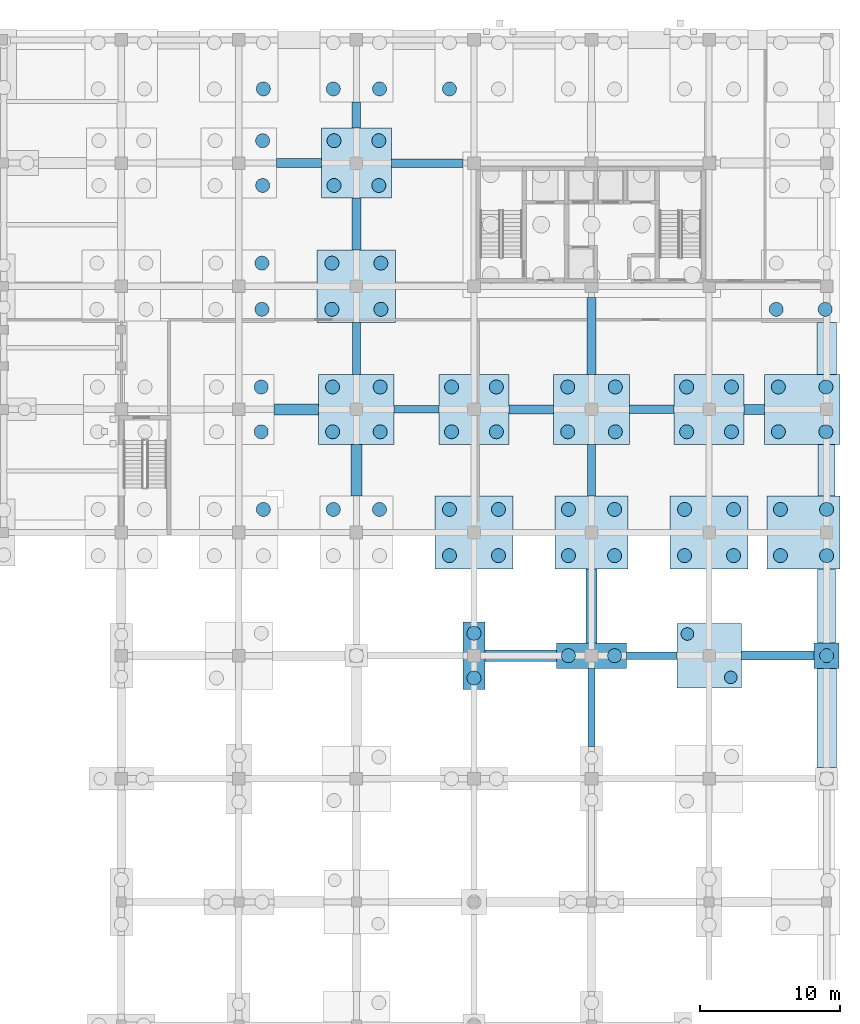
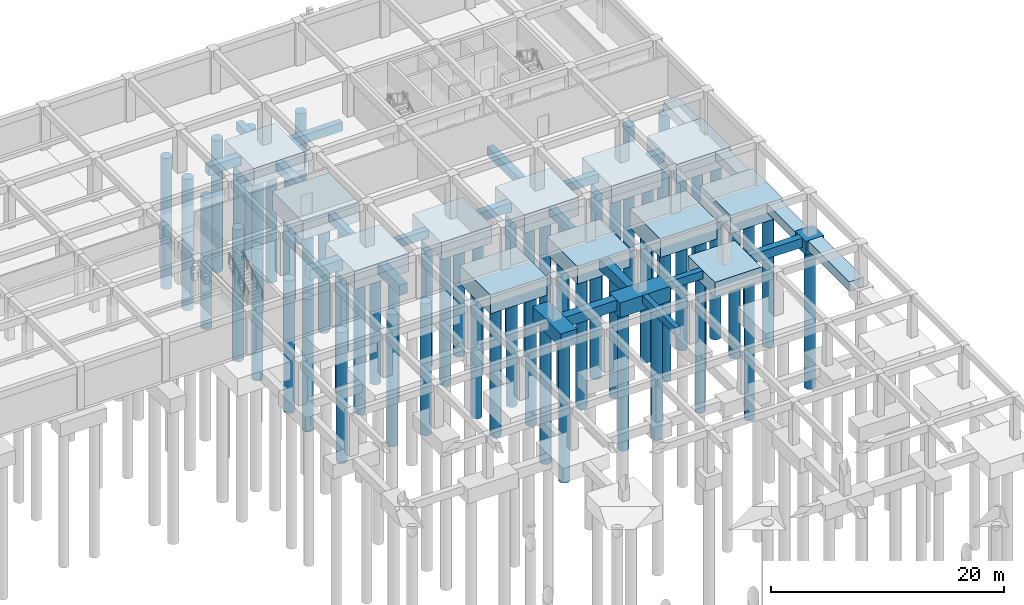
# One storey, part 11 of 41: 66 piles, 37 footings.
"""IFC4 building model written with IfcOpenShell, lengths in metres."""

from ifc_helpers import new_model, si_unit, direction, frame, origin, origin_2d, place, context, subcontext, project, spatial, rectangle, circle, extrude, material, material_profile, profile_set, type_object, element, save


model = new_model("IFC4")

# Units and contexts
model_context = context("Model", 3, precision=1e-05, world=origin(), true_north=direction((0.0, 1.0)))
body_context = subcontext(model_context, "Body", "Model", "MODEL_VIEW")
ifc_project = project(units=[si_unit("LENGTHUNIT", "METRE"), si_unit("AREAUNIT", "SQUARE_METRE"), si_unit("VOLUMEUNIT", "CUBIC_METRE"), si_unit("PLANEANGLEUNIT", "RADIAN"), si_unit("MASSUNIT", "GRAM", prefix="KILO")], contexts=[model_context])

# Site, building, storey
site_placement = place(None, origin())
site = spatial("IfcSite", under=ifc_project, at=site_placement, CompositionType="ELEMENT")
building_placement = place(site_placement, origin())
building = spatial("IfcBuilding", under=site, at=building_placement, Name="Kemercrest Conservatory and Botanical Centre", CompositionType="ELEMENT")
storey_placement = place(building_placement, frame((0.0, 0.0, -4.5)))
storey = spatial("IfcBuildingStorey", under=building, at=storey_placement, Name="B1", CompositionType="ELEMENT", Elevation=-4.5)

# Piles
ifc_material = material(Name="Concrete C40/50", Category="concrete")
ifc_material_profile_1 = material_profile(ifc_material, circle(Radius=0.5, at=origin_2d()), Name="BORED PILE 1000")
ifc_profile_set_1 = profile_set([ifc_material_profile_1], Name="Concrete C40/50")
pile_type_1 = type_object("IfcPileType", Name="BP-01", PredefinedType="BORED", material=ifc_profile_set_1)
pile_1_placement = place(storey_placement, frame((135.75, 88.85009765625, -2.300048828125), z_axis=(0.0, 0.0, -1.0), x_axis=(1.0, 0.0, 0.0)))
element("IfcPile", 1, at=pile_1_placement, inside=storey, type_object=pile_type_1, Name="Bored pile BP-01 #363", PredefinedType="BORED", context=body_context, shape_type="SweptSolid", body=[
    extrude(circle(Radius=0.5, at=origin_2d()), origin(), (0.0, 0.0, 1.0), 13.699951171875),
])
for number, where, z_axis, x_axis, name in (
    (2, (135.60009765625, 94.39990234375, -2.14990234375), (0.0, 0.0, -1.0), (1.0, 0.0, 0.0), "Bored pile BP-01 #366"),
    (3, (135.60009765625, 97.60009765625, -2.14990234375), (0.0, 0.0, -1.0), (1.0, 0.0, 0.0), "Bored pile BP-01 #367"),
):
    element("IfcPile", number, at=place(storey_placement, frame(where, z_axis=z_axis, x_axis=x_axis)), inside=storey, type_object=pile_type_1, Name=name, PredefinedType="BORED", context=body_context, shape_type="SweptSolid", body=[
        extrude(circle(Radius=0.5, at=origin_2d()), origin(), (0.0, 0.0, 1.0), 13.85009765625),
    ])
for number, where, z_axis, x_axis, name in (
    (4, (135.64990234375, 103.14990234375, -2.199951171875), (0.0, 0.0, -1.0), (1.0, 0.0, 0.0), "Bored pile BP-01 #370"),
    (5, (135.64990234375, 106.449951171875, -2.199951171875), (0.0, 0.0, -1.0), (1.0, 0.0, 0.0), "Bored pile BP-01 #371"),
):
    element("IfcPile", number, at=place(storey_placement, frame(where, z_axis=z_axis, x_axis=x_axis)), inside=storey, type_object=pile_type_1, Name=name, PredefinedType="BORED", context=body_context, shape_type="SweptSolid", body=[
        extrude(circle(Radius=0.5, at=origin_2d()), origin(), (0.0, 0.0, 1.0), 13.800048828125),
    ])
for number, where, z_axis, x_axis, name in (
    (6, (135.699951171875, 112.0, -2.25), (0.0, 0.0, -1.0), (1.0, 0.0, 0.0), "Bored pile BP-01 #374"),
    (7, (135.699951171875, 115.199951171875, -2.25), (0.0, 0.0, -1.0), (1.0, 0.0, 0.0), "Bored pile BP-01 #375"),
):
    element("IfcPile", number, at=place(storey_placement, frame(where, z_axis=z_axis, x_axis=x_axis)), inside=storey, type_object=pile_type_1, Name=name, PredefinedType="BORED", context=body_context, shape_type="SweptSolid", body=[
        extrude(circle(Radius=0.5, at=origin_2d()), origin(), (0.0, 0.0, 1.0), 13.75),
    ])
pile_2_placement = place(storey_placement, frame((135.75, 118.89990234375, -2.300048828125), z_axis=(0.0, 0.0, -1.0), x_axis=(1.0, 0.0, 0.0)))
element("IfcPile", 8, at=pile_2_placement, inside=storey, type_object=pile_type_1, Name="Bored pile BP-01 #378", PredefinedType="BORED", context=body_context, shape_type="SweptSolid", body=[
    extrude(circle(Radius=0.5, at=origin_2d()), origin(), (0.0, 0.0, 1.0), 13.699951171875),
])
for number, where, z_axis, x_axis, name in (
    (9, (140.75, 88.85009765625, -2.199951171875), (0.0, 0.0, -1.0), (1.0, 0.0, 0.0), "Bored pile BP-01 #398"),
    (10, (144.050048828125, 88.85009765625, -2.199951171875), (0.0, 0.0, -1.0), (1.0, 0.0, 0.0), "Bored pile BP-01 #400"),
):
    element("IfcPile", number, at=place(storey_placement, frame(where, z_axis=z_axis, x_axis=x_axis)), inside=storey, type_object=pile_type_1, Name=name, PredefinedType="BORED", context=body_context, shape_type="SweptSolid", body=[
        extrude(circle(Radius=0.5, at=origin_2d()), origin(), (0.0, 0.0, 1.0), 13.800048828125),
    ])
for number, where, z_axis, x_axis, name in (
    (11, (140.699951171875, 94.39990234375, -2.25), (0.0, 0.0, -1.0), (1.0, 0.0, 0.0), "Bored pile BP-01 #401"),
    (12, (140.699951171875, 97.60009765625, -2.25), (0.0, 0.0, -1.0), (1.0, 0.0, 0.0), "Bored pile BP-01 #402"),
    (13, (144.10009765625, 94.39990234375, -2.25), (0.0, 0.0, -1.0), (1.0, 0.0, 0.0), "Bored pile BP-01 #403"),
    (14, (144.10009765625, 97.60009765625, -2.25), (0.0, 0.0, -1.0), (1.0, 0.0, 0.0), "Bored pile BP-01 #404"),
):
    element("IfcPile", number, at=place(storey_placement, frame(where, z_axis=z_axis, x_axis=x_axis)), inside=storey, type_object=pile_type_1, Name=name, PredefinedType="BORED", context=body_context, shape_type="SweptSolid", body=[
        extrude(circle(Radius=0.5, at=origin_2d()), origin(), (0.0, 0.0, 1.0), 13.75),
    ])
for number, where, z_axis, x_axis, name in (
    (15, (140.64990234375, 103.14990234375, -2.300048828125), (0.0, 0.0, -1.0), (1.0, 0.0, 0.0), "Bored pile BP-01 #405"),
    (16, (140.64990234375, 106.449951171875, -2.300048828125), (0.0, 0.0, -1.0), (1.0, 0.0, 0.0), "Bored pile BP-01 #406"),
    (17, (144.14990234375, 103.14990234375, -2.300048828125), (0.0, 0.0, -1.0), (1.0, 0.0, 0.0), "Bored pile BP-01 #407"),
    (18, (144.14990234375, 106.449951171875, -2.300048828125), (0.0, 0.0, -1.0), (1.0, 0.0, 0.0), "Bored pile BP-01 #408"),
):
    element("IfcPile", number, at=place(storey_placement, frame(where, z_axis=z_axis, x_axis=x_axis)), inside=storey, type_object=pile_type_1, Name=name, PredefinedType="BORED", context=body_context, shape_type="SweptSolid", body=[
        extrude(circle(Radius=0.5, at=origin_2d()), origin(), (0.0, 0.0, 1.0), 13.699951171875),
    ])
for number, where, z_axis, x_axis, name in (
    (19, (140.800048828125, 112.0, -2.14990234375), (0.0, 0.0, -1.0), (1.0, 0.0, 0.0), "Bored pile BP-01 #409"),
    (20, (140.800048828125, 115.199951171875, -2.14990234375), (0.0, 0.0, -1.0), (1.0, 0.0, 0.0), "Bored pile BP-01 #410"),
    (21, (144.0, 112.0, -2.14990234375), (0.0, 0.0, -1.0), (1.0, 0.0, 0.0), "Bored pile BP-01 #411"),
    (22, (144.0, 115.199951171875, -2.14990234375), (0.0, 0.0, -1.0), (1.0, 0.0, 0.0), "Bored pile BP-01 #412"),
):
    element("IfcPile", number, at=place(storey_placement, frame(where, z_axis=z_axis, x_axis=x_axis)), inside=storey, type_object=pile_type_1, Name=name, PredefinedType="BORED", context=body_context, shape_type="SweptSolid", body=[
        extrude(circle(Radius=0.5, at=origin_2d()), origin(), (0.0, 0.0, 1.0), 13.85009765625),
    ])
for number, where, z_axis, x_axis, name in (
    (23, (140.75, 118.89990234375, -2.199951171875), (0.0, 0.0, -1.0), (1.0, 0.0, 0.0), "Bored pile BP-01 #413"),
    (24, (144.050048828125, 118.89990234375, -2.199951171875), (0.0, 0.0, -1.0), (1.0, 0.0, 0.0), "Bored pile BP-01 #415"),
):
    element("IfcPile", number, at=place(storey_placement, frame(where, z_axis=z_axis, x_axis=x_axis)), inside=storey, type_object=pile_type_1, Name=name, PredefinedType="BORED", context=body_context, shape_type="SweptSolid", body=[
        extrude(circle(Radius=0.5, at=origin_2d()), origin(), (0.0, 0.0, 1.0), 13.800048828125),
    ])
for number, where, z_axis, x_axis, name in (
    (25, (150.800048828125, 76.800048828125, -1.39990234375), (0.0, 0.0, -1.0), (1.0, 0.0, 0.0), "Bored pile BP-01 #431"),
    (26, (150.800048828125, 80.0, -1.39990234375), (0.0, 0.0, -1.0), (1.0, 0.0, 0.0), "Bored pile BP-01 #432"),
):
    element("IfcPile", number, at=place(storey_placement, frame(where, z_axis=z_axis, x_axis=x_axis)), inside=storey, type_object=pile_type_1, Name=name, PredefinedType="BORED", context=body_context, shape_type="SweptSolid", body=[
        extrude(circle(Radius=0.5, at=origin_2d()), origin(), (0.0, 0.0, 1.0), 14.60009765625),
    ])
for number, where, z_axis, x_axis, name in (
    (27, (149.050048828125, 85.550048828125, -2.300048828125), (0.0, 0.0, -1.0), (1.0, 0.0, 0.0), "Bored pile BP-01 #433"),
    (28, (149.050048828125, 88.85009765625, -2.300048828125), (0.0, 0.0, -1.0), (1.0, 0.0, 0.0), "Bored pile BP-01 #434"),
    (29, (152.550048828125, 85.550048828125, -2.300048828125), (0.0, 0.0, -1.0), (1.0, 0.0, 0.0), "Bored pile BP-01 #435"),
    (30, (152.550048828125, 88.85009765625, -2.300048828125), (0.0, 0.0, -1.0), (1.0, 0.0, 0.0), "Bored pile BP-01 #436"),
):
    element("IfcPile", number, at=place(storey_placement, frame(where, z_axis=z_axis, x_axis=x_axis)), inside=storey, type_object=pile_type_1, Name=name, PredefinedType="BORED", context=body_context, shape_type="SweptSolid", body=[
        extrude(circle(Radius=0.5, at=origin_2d()), origin(), (0.0, 0.0, 1.0), 13.699951171875),
    ])
for number, where, z_axis, x_axis, name in (
    (31, (149.199951171875, 94.39990234375, -2.14990234375), (0.0, 0.0, -1.0), (1.0, 0.0, 0.0), "Bored pile BP-01 #437"),
    (32, (149.199951171875, 97.60009765625, -2.14990234375), (0.0, 0.0, -1.0), (1.0, 0.0, 0.0), "Bored pile BP-01 #438"),
    (33, (152.39990234375, 94.39990234375, -2.14990234375), (0.0, 0.0, -1.0), (1.0, 0.0, 0.0), "Bored pile BP-01 #439"),
    (34, (152.39990234375, 97.60009765625, -2.14990234375), (0.0, 0.0, -1.0), (1.0, 0.0, 0.0), "Bored pile BP-01 #440"),
):
    element("IfcPile", number, at=place(storey_placement, frame(where, z_axis=z_axis, x_axis=x_axis)), inside=storey, type_object=pile_type_1, Name=name, PredefinedType="BORED", context=body_context, shape_type="SweptSolid", body=[
        extrude(circle(Radius=0.5, at=origin_2d()), origin(), (0.0, 0.0, 1.0), 13.85009765625),
    ])
pile_3_placement = place(storey_placement, frame((149.050048828125, 118.89990234375, -2.300048828125), z_axis=(0.0, 0.0, -1.0), x_axis=(1.0, 0.0, 0.0)))
element("IfcPile", 35, at=pile_3_placement, inside=storey, type_object=pile_type_1, Name="Bored pile BP-01 #441", PredefinedType="BORED", context=body_context, shape_type="SweptSolid", body=[
    extrude(circle(Radius=0.5, at=origin_2d()), origin(), (0.0, 0.0, 1.0), 13.699951171875),
])
for number, where, z_axis, x_axis, name in (
    (36, (157.550048828125, 78.39990234375, -1.449951171875), (0.0, 0.0, -1.0), (1.0, 0.0, 0.0), "Bored pile BP-01 #459"),
    (37, (160.85009765625, 78.39990234375, -1.449951171875), (0.0, 0.0, -1.0), (1.0, 0.0, 0.0), "Bored pile BP-01 #460"),
):
    element("IfcPile", number, at=place(storey_placement, frame(where, z_axis=z_axis, x_axis=x_axis)), inside=storey, type_object=pile_type_1, Name=name, PredefinedType="BORED", context=body_context, shape_type="SweptSolid", body=[
        extrude(circle(Radius=0.5, at=origin_2d()), origin(), (0.0, 0.0, 1.0), 14.550048828125),
    ])
for number, where, z_axis, x_axis, name in (
    (38, (157.550048828125, 85.550048828125, -2.199951171875), (0.0, 0.0, -1.0), (1.0, 0.0, 0.0), "Bored pile BP-01 #461"),
    (39, (157.550048828125, 88.85009765625, -2.199951171875), (0.0, 0.0, -1.0), (1.0, 0.0, 0.0), "Bored pile BP-01 #462"),
    (40, (160.85009765625, 85.550048828125, -2.199951171875), (0.0, 0.0, -1.0), (1.0, 0.0, 0.0), "Bored pile BP-01 #463"),
    (41, (160.85009765625, 88.85009765625, -2.199951171875), (0.0, 0.0, -1.0), (1.0, 0.0, 0.0), "Bored pile BP-01 #464"),
):
    element("IfcPile", number, at=place(storey_placement, frame(where, z_axis=z_axis, x_axis=x_axis)), inside=storey, type_object=pile_type_1, Name=name, PredefinedType="BORED", context=body_context, shape_type="SweptSolid", body=[
        extrude(circle(Radius=0.5, at=origin_2d()), origin(), (0.0, 0.0, 1.0), 13.800048828125),
    ])
for number, where, z_axis, x_axis, name in (
    (42, (157.5, 94.39990234375, -2.25), (0.0, 0.0, -1.0), (1.0, 0.0, 0.0), "Bored pile BP-01 #465"),
    (43, (157.5, 97.60009765625, -2.25), (0.0, 0.0, -1.0), (1.0, 0.0, 0.0), "Bored pile BP-01 #466"),
    (44, (160.89990234375, 94.39990234375, -2.25), (0.0, 0.0, -1.0), (1.0, 0.0, 0.0), "Bored pile BP-01 #467"),
    (45, (160.89990234375, 97.60009765625, -2.25), (0.0, 0.0, -1.0), (1.0, 0.0, 0.0), "Bored pile BP-01 #468"),
):
    element("IfcPile", number, at=place(storey_placement, frame(where, z_axis=z_axis, x_axis=x_axis)), inside=storey, type_object=pile_type_1, Name=name, PredefinedType="BORED", context=body_context, shape_type="SweptSolid", body=[
        extrude(circle(Radius=0.5, at=origin_2d()), origin(), (0.0, 0.0, 1.0), 13.75),
    ])
for number, where, z_axis, x_axis, name in (
    (46, (165.85009765625, 85.550048828125, -2.300048828125), (0.0, 0.0, -1.0), (1.0, 0.0, 0.0), "Bored pile BP-01 #490"),
    (47, (165.85009765625, 88.85009765625, -2.300048828125), (0.0, 0.0, -1.0), (1.0, 0.0, 0.0), "Bored pile BP-01 #491"),
    (48, (169.35009765625, 85.550048828125, -2.300048828125), (0.0, 0.0, -1.0), (1.0, 0.0, 0.0), "Bored pile BP-01 #492"),
    (49, (169.35009765625, 88.85009765625, -2.300048828125), (0.0, 0.0, -1.0), (1.0, 0.0, 0.0), "Bored pile BP-01 #493"),
):
    element("IfcPile", number, at=place(storey_placement, frame(where, z_axis=z_axis, x_axis=x_axis)), inside=storey, type_object=pile_type_1, Name=name, PredefinedType="BORED", context=body_context, shape_type="SweptSolid", body=[
        extrude(circle(Radius=0.5, at=origin_2d()), origin(), (0.0, 0.0, 1.0), 13.699951171875),
    ])
for number, where, z_axis, x_axis, name in (
    (50, (166.0, 94.39990234375, -2.14990234375), (0.0, 0.0, -1.0), (1.0, 0.0, 0.0), "Bored pile BP-01 #494"),
    (51, (166.0, 97.60009765625, -2.14990234375), (0.0, 0.0, -1.0), (1.0, 0.0, 0.0), "Bored pile BP-01 #495"),
    (52, (169.199951171875, 94.39990234375, -2.14990234375), (0.0, 0.0, -1.0), (1.0, 0.0, 0.0), "Bored pile BP-01 #496"),
    (53, (169.199951171875, 97.60009765625, -2.14990234375), (0.0, 0.0, -1.0), (1.0, 0.0, 0.0), "Bored pile BP-01 #497"),
):
    element("IfcPile", number, at=place(storey_placement, frame(where, z_axis=z_axis, x_axis=x_axis)), inside=storey, type_object=pile_type_1, Name=name, PredefinedType="BORED", context=body_context, shape_type="SweptSolid", body=[
        extrude(circle(Radius=0.5, at=origin_2d()), origin(), (0.0, 0.0, 1.0), 13.85009765625),
    ])
pile_4_placement = place(storey_placement, frame((176.0, 78.39990234375, -1.35009765625), z_axis=(0.0, 0.0, -1.0), x_axis=(1.0, 0.0, 0.0)))
element("IfcPile", 54, at=pile_4_placement, inside=storey, type_object=pile_type_1, Name="Bored pile BP-01 #517", PredefinedType="BORED", context=body_context, shape_type="SweptSolid", body=[
    extrude(circle(Radius=0.5, at=origin_2d()), origin(), (0.0, 0.0, 1.0), 14.64990234375),
])
for number, where, z_axis, x_axis, name in (
    (55, (172.699951171875, 85.550048828125, -2.199951171875), (0.0, 0.0, -1.0), (1.0, 0.0, 0.0), "Bored pile BP-01 #518"),
    (56, (172.699951171875, 88.85009765625, -2.199951171875), (0.0, 0.0, -1.0), (1.0, 0.0, 0.0), "Bored pile BP-01 #519"),
    (57, (176.0, 85.550048828125, -2.199951171875), (0.0, 0.0, -1.0), (1.0, 0.0, 0.0), "Bored pile BP-01 #520"),
    (58, (176.0, 88.85009765625, -2.199951171875), (0.0, 0.0, -1.0), (1.0, 0.0, 0.0), "Bored pile BP-01 #521"),
):
    element("IfcPile", number, at=place(storey_placement, frame(where, z_axis=z_axis, x_axis=x_axis)), inside=storey, type_object=pile_type_1, Name=name, PredefinedType="BORED", context=body_context, shape_type="SweptSolid", body=[
        extrude(circle(Radius=0.5, at=origin_2d()), origin(), (0.0, 0.0, 1.0), 13.800048828125),
    ])
for number, where, z_axis, x_axis, name in (
    (59, (172.550048828125, 94.39990234375, -2.25), (0.0, 0.0, -1.0), (1.0, 0.0, 0.0), "Bored pile BP-01 #522"),
    (60, (172.550048828125, 97.60009765625, -2.25), (0.0, 0.0, -1.0), (1.0, 0.0, 0.0), "Bored pile BP-01 #523"),
    (61, (175.949951171875, 94.39990234375, -2.25), (0.0, 0.0, -1.0), (1.0, 0.0, 0.0), "Bored pile BP-01 #524"),
    (62, (175.949951171875, 97.60009765625, -2.25), (0.0, 0.0, -1.0), (1.0, 0.0, 0.0), "Bored pile BP-01 #525"),
):
    element("IfcPile", number, at=place(storey_placement, frame(where, z_axis=z_axis, x_axis=x_axis)), inside=storey, type_object=pile_type_1, Name=name, PredefinedType="BORED", context=body_context, shape_type="SweptSolid", body=[
        extrude(circle(Radius=0.5, at=origin_2d()), origin(), (0.0, 0.0, 1.0), 13.75),
    ])
for number, where, z_axis, x_axis, name in (
    (63, (172.39990234375, 103.14990234375, -2.300048828125), (0.0, 0.0, -1.0), (1.0, 0.0, 0.0), "Bored pile BP-01 #526"),
    (64, (175.89990234375, 103.14990234375, -2.300048828125), (0.0, 0.0, -1.0), (1.0, 0.0, 0.0), "Bored pile BP-01 #528"),
):
    element("IfcPile", number, at=place(storey_placement, frame(where, z_axis=z_axis, x_axis=x_axis)), inside=storey, type_object=pile_type_1, Name=name, PredefinedType="BORED", context=body_context, shape_type="SweptSolid", body=[
        extrude(circle(Radius=0.5, at=origin_2d()), origin(), (0.0, 0.0, 1.0), 13.699951171875),
    ])
ifc_material_profile_2 = material_profile(ifc_material, circle(Radius=0.449951171875, at=origin_2d()), Name="BORED PILE 900")
ifc_profile_set_2 = profile_set([ifc_material_profile_2], Name="Concrete C40/50")
pile_type_2 = type_object("IfcPileType", Name="BP-02", PredefinedType="BORED", material=ifc_profile_set_2)
for number, where, z_axis, x_axis, name in (
    (65, (166.050048828125, 79.949951171875, -1.39990234375), (0.0, 0.0, -1.0), (1.0, 0.0, 0.0), "Bored pile BP-02 #488"),
    (66, (169.14990234375, 76.85009765625, -1.39990234375), (0.0, 0.0, -1.0), (1.0, 0.0, 0.0), "Bored pile BP-02 #489"),
):
    element("IfcPile", number, at=place(storey_placement, frame(where, z_axis=z_axis, x_axis=x_axis)), inside=storey, type_object=pile_type_2, Name=name, PredefinedType="BORED", context=body_context, shape_type="SweptSolid", body=[
        extrude(circle(Radius=0.449951171875, at=origin_2d()), origin(), (0.0, 0.0, 1.0), 14.60009765625),
    ])

# Footings
footing_type_1 = type_object("IfcFootingType", Name="FB-01", PredefinedType="FOOTING_BEAM", material=ifc_material)
footing_1_placement = place(storey_placement, frame((163.5, 96.0, -1.349853515625), z_axis=(0.0, 0.0, 1.0), x_axis=(1.0, 0.0, 0.0)))
element("IfcFooting", 67, at=footing_1_placement, inside=storey, type_object=footing_type_1, Name="Seismic tie footing beam FB-01", PredefinedType="FOOTING_BEAM", context=body_context, shape_type="SweptSolid", body=[
    extrude(rectangle(XDim=3.199951171875, YDim=0.60009765625, at=origin_2d()), origin(), (0.0, 0.0, 1.0), 0.89990234375),
])
footing_2_placement = place(storey_placement, frame((147.449951171875, 113.60009765625, -1.349853515625), z_axis=(0.0, 0.0, 1.0), x_axis=(1.0, 0.0, 0.0)))
element("IfcFooting", 68, at=footing_2_placement, inside=storey, type_object=footing_type_1, Name="Seismic tie footing beam FB-01", PredefinedType="FOOTING_BEAM", context=body_context, shape_type="SweptSolid", body=[
    extrude(rectangle(XDim=5.10009765625, YDim=0.60009765625, at=origin_2d()), origin(), (0.0, 0.0, 1.0), 0.89990234375),
])
footing_3_placement = place(storey_placement, frame((142.39990234375, 117.02490234375, -1.349853515625), z_axis=(0.0, 0.0, 1.0), x_axis=(1.0, 0.0, 0.0)))
element("IfcFooting", 69, at=footing_3_placement, inside=storey, type_object=footing_type_1, Name="Seismic tie footing beam FB-01", PredefinedType="FOOTING_BEAM", context=body_context, shape_type="SweptSolid", body=[
    extrude(rectangle(XDim=0.60009765625, YDim=1.85009765625, at=origin_2d()), origin(), (0.0, 0.0, 1.0), 0.89990234375),
])
footing_type_2 = type_object("IfcFootingType", Name="FB-02", PredefinedType="FOOTING_BEAM", material=ifc_material)
footing_4_placement = place(storey_placement, frame((170.824951171875, 96.0, -1.449951171875), z_axis=(0.0, 0.0, 1.0), x_axis=(1.0, 0.0, 0.0)))
element("IfcFooting", 70, at=footing_4_placement, inside=storey, type_object=footing_type_2, Name="Seismic tie footing beam FB-02", PredefinedType="FOOTING_BEAM", context=body_context, shape_type="SweptSolid", body=[
    extrude(rectangle(XDim=1.449951171875, YDim=0.699951171875, at=origin_2d()), origin(), (0.0, 0.0, 1.0), 1.0),
])
footing_type_3 = type_object("IfcFootingType", Name="FB-03", PredefinedType="FOOTING_BEAM", material=ifc_material)
footing_5_placement = place(storey_placement, frame((159.199951171875, 74.699951171875, -0.7998046875), z_axis=(0.0, 0.0, 1.0), x_axis=(1.0, 0.0, 0.0)))
element("IfcFooting", 71, at=footing_5_placement, inside=storey, type_object=footing_type_3, Name="Seismic tie footing beam FB-03", PredefinedType="FOOTING_BEAM", context=body_context, shape_type="SweptSolid", body=[
    extrude(rectangle(XDim=0.5, YDim=5.60009765625, at=origin_2d()), origin(), (0.0, 0.0, 1.0), 0.800048828125),
])
footing_type_4 = type_object("IfcFootingType", Name="FB-04", PredefinedType="FOOTING_BEAM", material=ifc_material)
footing_6_placement = place(storey_placement, frame((154.14990234375, 78.39990234375, -1.10009765625), z_axis=(0.0, 0.0, 1.0), x_axis=(1.0, 0.0, 0.0)))
element("IfcFooting", 72, at=footing_6_placement, inside=storey, type_object=footing_type_4, Name="Seismic tie footing beam FB-04", PredefinedType="FOOTING_BEAM", context=body_context, shape_type="SweptSolid", body=[
    extrude(rectangle(XDim=5.10009765625, YDim=0.800048828125, at=origin_2d()), origin(), (0.0, 0.0, 1.0), 1.10009765625),
])
footing_7_placement = place(storey_placement, frame((138.10009765625, 96.0, -1.550048828125), z_axis=(0.0, 0.0, 1.0), x_axis=(1.0, 0.0, 0.0)))
element("IfcFooting", 73, at=footing_7_placement, inside=storey, type_object=footing_type_4, Name="Seismic tie footing beam FB-04", PredefinedType="FOOTING_BEAM", context=body_context, shape_type="SweptSolid", body=[
    extrude(rectangle(XDim=3.199951171875, YDim=0.800048828125, at=origin_2d()), origin(), (0.0, 0.0, 1.0), 1.10009765625),
])
footing_8_placement = place(storey_placement, frame((142.39990234375, 91.64990234375, -1.550048828125), z_axis=(0.0, 0.0, 1.0), x_axis=(1.0, 0.0, 0.0)))
element("IfcFooting", 74, at=footing_8_placement, inside=storey, type_object=footing_type_4, Name="Seismic tie footing beam FB-04", PredefinedType="FOOTING_BEAM", context=body_context, shape_type="SweptSolid", body=[
    extrude(rectangle(XDim=0.800048828125, YDim=3.699951171875, at=origin_2d()), origin(), (0.0, 0.0, 1.0), 1.10009765625),
])
footing_9_placement = place(storey_placement, frame((159.199951171875, 81.949951171875, -1.550048828125), z_axis=(0.0, 0.0, 1.0), x_axis=(1.0, 0.0, 0.0)))
element("IfcFooting", 75, at=footing_9_placement, inside=storey, type_object=footing_type_4, Name="Seismic tie footing beam FB-04", PredefinedType="FOOTING_BEAM", context=body_context, shape_type="SweptSolid", body=[
    extrude(rectangle(XDim=0.800048828125, YDim=5.300048828125, at=origin_2d()), origin(), (0.0, 0.0, 1.0), 1.10009765625),
])
footing_type_5 = type_object("IfcFootingType", Name="FB-05", PredefinedType="FOOTING_BEAM", material=ifc_material)
footing_10_placement = place(storey_placement, frame((163.5, 78.39990234375, -0.85009765625), z_axis=(0.0, 0.0, 1.0), x_axis=(1.0, 0.0, 0.0)))
element("IfcFooting", 76, at=footing_10_placement, inside=storey, type_object=footing_type_5, Name="Seismic tie footing beam FB-05", PredefinedType="FOOTING_BEAM", context=body_context, shape_type="SweptSolid", body=[
    extrude(rectangle(XDim=3.60009765625, YDim=0.550048828125, at=origin_2d()), origin(), (0.0, 0.0, 1.0), 0.85009765625),
])
footing_11_placement = place(storey_placement, frame((146.699951171875, 96.0, -1.300048828125), z_axis=(0.0, 0.0, 1.0), x_axis=(1.0, 0.0, 0.0)))
element("IfcFooting", 77, at=footing_11_placement, inside=storey, type_object=footing_type_5, Name="Seismic tie footing beam FB-05", PredefinedType="FOOTING_BEAM", context=body_context, shape_type="SweptSolid", body=[
    extrude(rectangle(XDim=3.199951171875, YDim=0.550048828125, at=origin_2d()), origin(), (0.0, 0.0, 1.0), 0.85009765625),
])
for number, where, z_axis, x_axis, name in (
    (78, (142.39990234375, 100.35009765625, -1.300048828125), (0.0, 0.0, 1.0), (1.0, 0.0, 0.0), "Seismic tie footing beam FB-05"),
    (79, (159.199951171875, 91.64990234375, -1.300048828125), (0.0, 0.0, 1.0), (1.0, 0.0, 0.0), "Seismic tie footing beam FB-05"),
):
    element("IfcFooting", number, at=place(storey_placement, frame(where, z_axis=z_axis, x_axis=x_axis)), inside=storey, type_object=footing_type_5, Name=name, PredefinedType="FOOTING_BEAM", context=body_context, shape_type="SweptSolid", body=[
        extrude(rectangle(XDim=0.550048828125, YDim=3.699951171875, at=origin_2d()), origin(), (0.0, 0.0, 1.0), 0.85009765625),
    ])
footing_type_6 = type_object("IfcFootingType", Name="FB-06", PredefinedType="FOOTING_BEAM", material=ifc_material)
footing_12_placement = place(storey_placement, frame((172.5, 78.39990234375, -0.9501953125), z_axis=(0.0, 0.0, 1.0), x_axis=(1.0, 0.0, 0.0)))
element("IfcFooting", 80, at=footing_12_placement, inside=storey, type_object=footing_type_6, Name="Seismic tie footing beam FB-06", PredefinedType="FOOTING_BEAM", context=body_context, shape_type="SweptSolid", body=[
    extrude(rectangle(XDim=5.199951171875, YDim=0.64990234375, at=origin_2d()), origin(), (0.0, 0.0, 1.0), 0.949951171875),
])
for number, where, z_axis, x_axis, name in (
    (81, (154.89990234375, 96.0, -1.39990234375), (0.0, 0.0, 1.0), (1.0, 0.0, 0.0), "Seismic tie footing beam FB-06"),
    (82, (138.300048828125, 113.60009765625, -1.39990234375), (0.0, 0.0, 1.0), (1.0, 0.0, 0.0), "Seismic tie footing beam FB-06"),
):
    element("IfcFooting", number, at=place(storey_placement, frame(where, z_axis=z_axis, x_axis=x_axis)), inside=storey, type_object=footing_type_6, Name=name, PredefinedType="FOOTING_BEAM", context=body_context, shape_type="SweptSolid", body=[
        extrude(rectangle(XDim=3.199951171875, YDim=0.64990234375, at=origin_2d()), origin(), (0.0, 0.0, 1.0), 0.949951171875),
    ])
footing_13_placement = place(storey_placement, frame((142.39990234375, 109.25, -1.39990234375), z_axis=(0.0, 0.0, 1.0), x_axis=(1.0, 0.0, 0.0)))
element("IfcFooting", 83, at=footing_13_placement, inside=storey, type_object=footing_type_6, Name="Seismic tie footing beam FB-06", PredefinedType="FOOTING_BEAM", context=body_context, shape_type="SweptSolid", body=[
    extrude(rectangle(XDim=0.64990234375, YDim=3.699951171875, at=origin_2d()), origin(), (0.0, 0.0, 1.0), 0.949951171875),
])
footing_14_placement = place(storey_placement, frame((159.199951171875, 101.25, -1.39990234375), z_axis=(0.0, 0.0, 1.0), x_axis=(1.0, 0.0, 0.0)))
element("IfcFooting", 84, at=footing_14_placement, inside=storey, type_object=footing_type_6, Name="Seismic tie footing beam FB-06", PredefinedType="FOOTING_BEAM", context=body_context, shape_type="SweptSolid", body=[
    extrude(rectangle(XDim=0.64990234375, YDim=5.5, at=origin_2d()), origin(), (0.0, 0.0, 1.0), 0.949951171875),
])
footing_type_7 = type_object("IfcFootingType", Name="PC-03", PredefinedType="PILE_CAP", material=ifc_material)
footing_15_placement = place(storey_placement, frame((150.800048828125, 78.39990234375, -1.5), z_axis=(0.0, 0.0, 1.0), x_axis=(1.0, 0.0, 0.0)))
element("IfcFooting", 85, at=footing_15_placement, inside=storey, type_object=footing_type_7, Name="Pile cap PC-03 at (150.8, 78.4)", PredefinedType="PILE_CAP", context=body_context, shape_type="SweptSolid", body=[
    extrude(rectangle(XDim=1.60009765625, YDim=4.800048828125, at=origin_2d()), origin(), (0.0, 0.0, 1.0), 1.5),
])
footing_type_8 = type_object("IfcFootingType", Name="PC-05", PredefinedType="PILE_CAP", material=ifc_material)
footing_16_placement = place(storey_placement, frame((167.60009765625, 78.39990234375, -1.5), z_axis=(0.0, 0.0, 1.0), x_axis=(1.0, 0.0, 0.0)))
element("IfcFooting", 86, at=footing_16_placement, inside=storey, type_object=footing_type_8, Name="Pile cap PC-05 at (167.6, 78.4)", PredefinedType="PILE_CAP", context=body_context, shape_type="SweptSolid", body=[
    extrude(rectangle(XDim=4.60009765625, YDim=4.60009765625, at=origin_2d()), origin(), (0.0, 0.0, 1.0), 1.5),
])
footing_type_9 = type_object("IfcFootingType", Name="PC-06", PredefinedType="PILE_CAP", material=ifc_material)
for number, where, z_axis, x_axis, name in (
    (87, (142.39990234375, 113.60009765625, -2.25), (0.0, 0.0, 1.0), (1.0, 0.0, 0.0), "Pile cap PC-06 at (142.4, 113.6)"),
    (88, (150.800048828125, 96.0, -2.25), (0.0, 0.0, 1.0), (1.0, 0.0, 0.0), "Pile cap PC-06 at (150.8, 96.0)"),
    (89, (167.60009765625, 96.0, -2.25), (0.0, 0.0, 1.0), (1.0, 0.0, 0.0), "Pile cap PC-06 at (167.6, 96.0)"),
):
    element("IfcFooting", number, at=place(storey_placement, frame(where, z_axis=z_axis, x_axis=x_axis)), inside=storey, type_object=footing_type_9, Name=name, PredefinedType="PILE_CAP", context=body_context, shape_type="SweptSolid", body=[
        extrude(rectangle(XDim=5.0, YDim=5.0, at=origin_2d()), origin(), (0.0, 0.0, 1.0), 1.800048828125),
    ])
footing_type_10 = type_object("IfcFootingType", Name="PC-07", PredefinedType="PILE_CAP", material=ifc_material)
for number, where, z_axis, x_axis, name in (
    (90, (159.199951171875, 87.199951171875, -2.300048828125), (0.0, 0.0, 1.0), (1.0, 0.0, 0.0), "Pile cap PC-07 at (159.2, 87.2)"),
    (91, (174.35009765625, 87.199951171875, -2.300048828125), (0.0, 0.0, 1.0), (1.0, 0.0, 0.0), "Pile cap PC-07 at (174.3, 87.2)"),
):
    element("IfcFooting", number, at=place(storey_placement, frame(where, z_axis=z_axis, x_axis=x_axis)), inside=storey, type_object=footing_type_10, Name=name, PredefinedType="PILE_CAP", context=body_context, shape_type="SweptSolid", body=[
        extrude(rectangle(XDim=5.199951171875, YDim=5.199951171875, at=origin_2d()), origin(), (0.0, 0.0, 1.0), 1.85009765625),
    ])
footing_type_11 = type_object("IfcFootingType", Name="PC-10", PredefinedType="PILE_CAP", material=ifc_material)
for number, where, z_axis, x_axis, name in (
    (92, (142.39990234375, 96.0, -2.349853515625), (0.0, 0.0, 1.0), (1.0, 0.0, 0.0), "Pile cap PC-10 at (142.4, 96.0)"),
    (93, (159.199951171875, 96.0, -2.349853515625), (0.0, 0.0, 1.0), (1.0, 0.0, 0.0), "Pile cap PC-10 at (159.2, 96.0)"),
    (94, (174.25, 96.0, -2.349853515625), (0.0, 0.0, 1.0), (1.0, 0.0, 0.0), "Pile cap PC-10 at (174.2, 96.0)"),
):
    element("IfcFooting", number, at=place(storey_placement, frame(where, z_axis=z_axis, x_axis=x_axis)), inside=storey, type_object=footing_type_11, Name=name, PredefinedType="PILE_CAP", context=body_context, shape_type="SweptSolid", body=[
        extrude(rectangle(XDim=5.39990234375, YDim=5.0, at=origin_2d()), origin(), (0.0, 0.0, 1.0), 1.89990234375),
    ])
footing_type_12 = type_object("IfcFootingType", Name="PC-12", PredefinedType="PILE_CAP", material=ifc_material)
footing_17_placement = place(storey_placement, frame((176.0, 78.39990234375, -1.4501953125), z_axis=(0.0, 0.0, 1.0), x_axis=(1.0, 0.0, 0.0)))
element("IfcFooting", 95, at=footing_17_placement, inside=storey, type_object=footing_type_12, Name="Pile cap PC-12 at (176.0, 78.4)", PredefinedType="PILE_CAP", context=body_context, shape_type="SweptSolid", body=[
    extrude(rectangle(XDim=1.800048828125, YDim=1.800048828125, at=origin_2d()), origin(), (0.0, 0.0, 1.0), 1.449951171875),
])
footing_type_13 = type_object("IfcFootingType", Name="PC-13", PredefinedType="PILE_CAP", material=ifc_material)
footing_18_placement = place(storey_placement, frame((159.199951171875, 78.39990234375, -1.5498046875), z_axis=(0.0, 0.0, 1.0), x_axis=(1.0, 0.0, 0.0)))
element("IfcFooting", 96, at=footing_18_placement, inside=storey, type_object=footing_type_13, Name="Pile cap PC-13 at (159.2, 78.4)", PredefinedType="PILE_CAP", context=body_context, shape_type="SweptSolid", body=[
    extrude(rectangle(XDim=5.0, YDim=1.800048828125, at=origin_2d()), origin(), (0.0, 0.0, 1.0), 1.550048828125),
])
footing_type_14 = type_object("IfcFootingType", Name="PC-15", PredefinedType="PILE_CAP", material=ifc_material)
for number, where, z_axis, x_axis, name in (
    (97, (142.39990234375, 104.800048828125, -2.39990234375), (0.0, 0.0, 1.0), (1.0, 0.0, 0.0), "Pile cap PC-15 at (142.4, 104.8)"),
    (98, (150.800048828125, 87.199951171875, -2.39990234375), (0.0, 0.0, 1.0), (1.0, 0.0, 0.0), "Pile cap PC-15 at (150.8, 87.2)"),
    (99, (167.60009765625, 87.199951171875, -2.39990234375), (0.0, 0.0, 1.0), (1.0, 0.0, 0.0), "Pile cap PC-15 at (167.6, 87.2)"),
):
    element("IfcFooting", number, at=place(storey_placement, frame(where, z_axis=z_axis, x_axis=x_axis)), inside=storey, type_object=footing_type_14, Name=name, PredefinedType="PILE_CAP", context=body_context, shape_type="SweptSolid", body=[
        extrude(rectangle(XDim=5.60009765625, YDim=5.199951171875, at=origin_2d()), origin(), (0.0, 0.0, 1.0), 1.949951171875),
    ])
footing_type_15 = type_object("IfcFootingType", Name="SF-01", PredefinedType="STRIP_FOOTING", material=ifc_material)
footing_19_placement = place(storey_placement, frame((176.0, 91.64990234375, -1.349853515625), z_axis=(0.0, 0.0, 1.0), x_axis=(1.0, 0.0, 0.0)))
element("IfcFooting", 100, at=footing_19_placement, inside=storey, type_object=footing_type_15, Name="Perimeter strip footing SF-01", PredefinedType="STRIP_FOOTING", context=body_context, shape_type="SweptSolid", body=[
    extrude(rectangle(XDim=1.199951171875, YDim=3.699951171875, at=origin_2d()), origin(), (0.0, 0.0, 1.0), 0.89990234375),
])
footing_type_16 = type_object("IfcFootingType", Name="SF-02", PredefinedType="STRIP_FOOTING", material=ifc_material)
footing_20_placement = place(storey_placement, frame((176.0, 73.949951171875, -1.0), z_axis=(0.0, 0.0, 1.0), x_axis=(1.0, 0.0, 0.0)))
element("IfcFooting", 101, at=footing_20_placement, inside=storey, type_object=footing_type_16, Name="Perimeter strip footing SF-02", PredefinedType="STRIP_FOOTING", context=body_context, shape_type="SweptSolid", body=[
    extrude(rectangle(XDim=1.39990234375, YDim=7.10009765625, at=origin_2d()), origin(), (0.0, 0.0, 1.0), 1.0),
])
footing_21_placement = place(storey_placement, frame((176.0, 100.35009765625, -1.449951171875), z_axis=(0.0, 0.0, 1.0), x_axis=(1.0, 0.0, 0.0)))
element("IfcFooting", 102, at=footing_21_placement, inside=storey, type_object=footing_type_16, Name="Perimeter strip footing SF-02", PredefinedType="STRIP_FOOTING", context=body_context, shape_type="SweptSolid", body=[
    extrude(rectangle(XDim=1.39990234375, YDim=3.699951171875, at=origin_2d()), origin(), (0.0, 0.0, 1.0), 1.0),
])
footing_type_17 = type_object("IfcFootingType", Name="SF-03", PredefinedType="STRIP_FOOTING", material=ifc_material)
footing_22_placement = place(storey_placement, frame((176.0, 81.949951171875, -1.39990234375), z_axis=(0.0, 0.0, 1.0), x_axis=(1.0, 0.0, 0.0)))
element("IfcFooting", 103, at=footing_22_placement, inside=storey, type_object=footing_type_17, Name="Perimeter strip footing SF-03", PredefinedType="STRIP_FOOTING", context=body_context, shape_type="SweptSolid", body=[
    extrude(rectangle(XDim=1.300048828125, YDim=5.300048828125, at=origin_2d()), origin(), (0.0, 0.0, 1.0), 0.949951171875),
])

save(model, "model.ifc")
